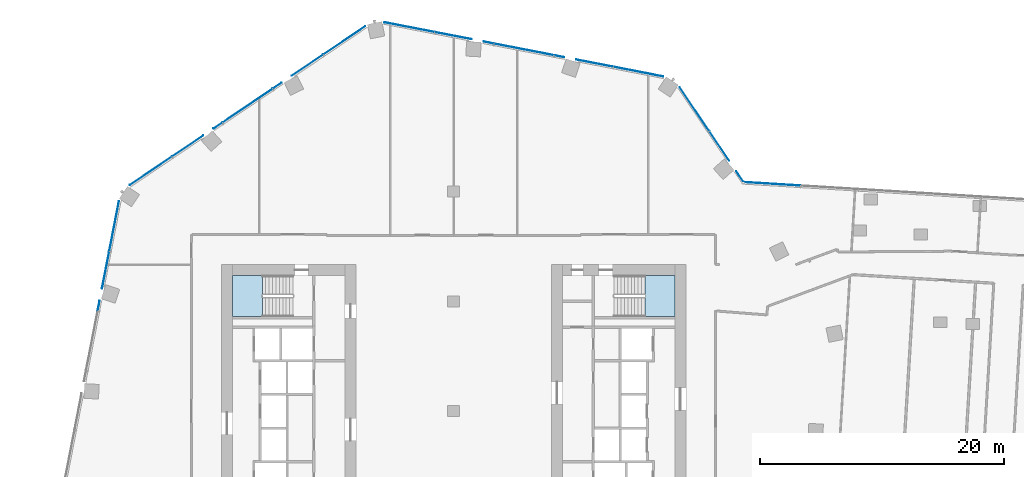
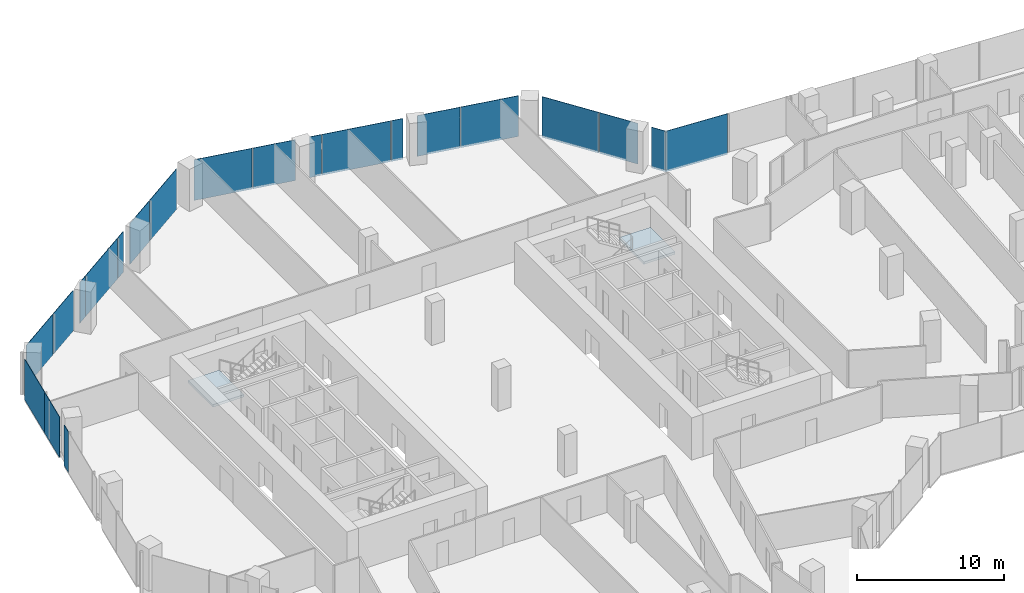
# One storey, part 20 of 32: 21 plates, 2 slabs, 7 elements without a shape of their own.
"""IFC4 building model written with IfcOpenShell, lengths in metres."""

import ifcopenshell
import ifcopenshell.guid

model = None  # the IFC model being written
_history = None  # IfcOwnerHistory: only IFC2X3 demands one
_inside = {}  # id of a spatial element -> (the spatial element, [elements in it])
_under = {}  # id of a project, library or spatial element -> (it, [spatial elements below it])
_declared = {}  # id of a project -> (the project, [libraries it declares])
_typed = {}  # id of a type object -> (the type object, [elements of that type])
_made_of = {}  # id of a material, layer set ... -> (it, [elements and type objects made of it])


def new_model(schema):
    """Start an empty IFC model of exactly this schema.

    Asked for "IFC4X3", IfcOpenShell would pick the latest addendum, in which some entities
    have other attributes; the version numbers below select the first issue.
    IFC2X3 requires an IfcOwnerHistory on every rooted entity: one is made here for all.
    """
    global model, _history
    if schema == "IFC4X3":
        model = ifcopenshell.file(schema_version=(4, 3, 0, 0))
    else:
        model = ifcopenshell.file(schema=schema)
    _inside.clear()
    _under.clear()
    _declared.clear()
    _typed.clear()
    _made_of.clear()
    _history = None
    if model.schema == "IFC2X3":
        org = make("IfcOrganization", Name="unknown")
        user = make(
            "IfcPersonAndOrganization",
            ThePerson=make("IfcPerson", FamilyName="unknown"),
            TheOrganization=org,
        )
        app = make(
            "IfcApplication",
            ApplicationDeveloper=org,
            Version="unknown",
            ApplicationFullName="unknown",
            ApplicationIdentifier="unknown",
        )
        _history = make(
            "IfcOwnerHistory",
            OwningUser=user,
            OwningApplication=app,
            ChangeAction="ADDED",
            CreationDate=0,
        )
    return model


def make(cls, **values):
    """One entity of the class cls with the attributes given. An attribute that is None is left unset."""
    return model.create_entity(
        cls, **{name: value for name, value in values.items() if value is not None}
    )


def rooted(cls, **values):
    """An entity with a GlobalId (a new one), such as an element, a storey or a relation."""
    return make(cls, GlobalId=ifcopenshell.guid.new(), OwnerHistory=_history, **values)


def si_unit(unit_type, name, prefix=None):
    """IfcSIUnit, for example si_unit("LENGTHUNIT", "METRE", prefix="MILLI")."""
    return make("IfcSIUnit", UnitType=unit_type, Prefix=prefix, Name=name)


def assignment(units):
    """IfcUnitAssignment: the units of a project."""
    return None if units is None else make("IfcUnitAssignment", Units=units)


def point(xyz):
    """IfcCartesianPoint."""
    return None if xyz is None else make("IfcCartesianPoint", Coordinates=xyz)


def direction(xyz):
    """IfcDirection."""
    return None if xyz is None else make("IfcDirection", DirectionRatios=xyz)


def frame(location, z_axis=None, x_axis=None):
    """IfcAxis2Placement3D, a coordinate frame: its origin and axes. An axis left out is left unset."""
    return make(
        "IfcAxis2Placement3D",
        Location=point(location),
        Axis=direction(z_axis),
        RefDirection=direction(x_axis),
    )


def frame_2d(location, x_axis=None):
    """IfcAxis2Placement2D, a coordinate frame in the plane: its origin and x axis."""
    return make(
        "IfcAxis2Placement2D", Location=point(location), RefDirection=direction(x_axis)
    )


def origin():
    """The frame at (0, 0, 0) with its axes left unset."""
    return frame((0.0, 0.0, 0.0))


def origin_2d():
    """The frame at (0, 0) in the plane with its x axis left unset."""
    return frame_2d((0.0, 0.0))


def place(relative_to, where):
    """IfcLocalPlacement: puts the frame where relative to a parent placement (None: the world)."""
    return make(
        "IfcLocalPlacement", PlacementRelTo=relative_to, RelativePlacement=where
    )


def context(
    kind, dimensions, precision=None, world=None, true_north=None, identifier=None
):
    """IfcGeometricRepresentationContext, for example the 3D "Model" context."""
    return make(
        "IfcGeometricRepresentationContext",
        ContextIdentifier=identifier,
        ContextType=kind,
        CoordinateSpaceDimension=dimensions,
        Precision=precision,
        WorldCoordinateSystem=world,
        TrueNorth=true_north,
    )


def subcontext(parent, identifier, kind, view, scale=None):
    """IfcGeometricRepresentationSubContext, for example "Body" below "Model"."""
    return make(
        "IfcGeometricRepresentationSubContext",
        ContextIdentifier=identifier,
        ContextType=kind,
        ParentContext=parent,
        TargetScale=scale,
        TargetView=view,
    )


def project(units=None, contexts=None):
    """IfcProject with its units and contexts."""
    return rooted(
        "IfcProject",
        Name="project",
        RepresentationContexts=contexts,
        UnitsInContext=assignment(units),
    )


def spatial(cls, under=None, at=None, **own):
    """A site, building, storey or space (cls), placed at a placement, below another one or the project."""
    s = rooted(cls, ObjectPlacement=at, **own)
    if under is not None:
        _under.setdefault(under.id(), (under, []))[1].append(s)
    return s


def polyline(points):
    """IfcPolyline through the points."""
    return make("IfcPolyline", Points=[point(p) for p in points])


def profile(cls, at=None, kind="AREA", **sizes):
    """A parametric profile (cls). Its sizes go by their IFC names, for example OverallWidth=200.0."""
    return make(cls, ProfileType=kind, Position=at, **sizes)


def rectangle(**sizes):
    """IfcRectangleProfileDef."""
    return profile("IfcRectangleProfileDef", **sizes)


def outline(outer, holes=None, kind="AREA"):
    """IfcArbitraryClosedProfileDef: a profile drawn as a closed curve; with holes, ...WithVoids."""
    if holes is None:
        return make("IfcArbitraryClosedProfileDef", ProfileType=kind, OuterCurve=outer)
    return make(
        "IfcArbitraryProfileDefWithVoids",
        ProfileType=kind,
        OuterCurve=outer,
        InnerCurves=holes,
    )


def extrude(swept, where, along, depth):
    """IfcExtrudedAreaSolid: the profile swept, set in the frame where, extruded along a direction by depth."""
    return make(
        "IfcExtrudedAreaSolid",
        SweptArea=swept,
        Position=where,
        ExtrudedDirection=direction(along),
        Depth=depth,
    )


def shape(context_of_items, identifier, shape_type, items):
    """IfcShapeRepresentation: the items that make up one representation, for example the "Body"."""
    return make(
        "IfcShapeRepresentation",
        ContextOfItems=context_of_items,
        RepresentationIdentifier=identifier,
        RepresentationType=shape_type,
        Items=items,
    )


def material(Name=None, Category=None):
    """IfcMaterial."""
    return make("IfcMaterial", Name=Name, Category=Category)


def layer(
    of_material, thickness, ventilated=None, Name=None, Category=None, Priority=None
):
    """IfcMaterialLayer: one layer of a wall or slab, of a material (None: an air gap)."""
    return make(
        "IfcMaterialLayer",
        Material=of_material,
        LayerThickness=thickness,
        IsVentilated=ventilated,
        Name=Name,
        Category=Category,
        Priority=Priority,
    )


def layer_set(layers, Name=None):
    """IfcMaterialLayerSet."""
    return make("IfcMaterialLayerSet", MaterialLayers=layers, LayerSetName=Name)


def made_of(thing, what):
    """Note that an element or type object is made of a material, layer set ...; save() writes the relation."""
    if what is not None:
        _made_of.setdefault(what.id(), (what, []))[1].append(thing)
    return thing


def type_object(cls, material=None, **own):
    """A type object (cls), such as IfcWallType, which elements share."""
    return made_of(rooted(cls, **own), material)


def element(
    cls,
    number,
    at=None,
    inside=None,
    cuts=None,
    type_object=None,
    material=None,
    context=None,
    identifier="Body",
    shape_type=None,
    held_by="IfcProductDefinitionShape",
    body=None,
    shapes=None,
    **own,
):
    """One element of the class cls, such as IfcWall. Its Tag is "e" and its number.

    at: its placement. inside: the storey or other place that contains it. cuts: it is an
    opening in that element (IfcRelVoidsElement). A single representation is given by context,
    identifier, shape_type and body (its items); several are given by shapes. held_by: the class
    of the entity that holds the representations. save() writes the other relations.
    """
    e = rooted(cls, Tag="e%d" % number, ObjectPlacement=at, **own)
    if body is not None:
        shapes = [shape(context, identifier, shape_type, body)]
    if shapes is not None:
        e.Representation = make(held_by, Representations=shapes)
    if inside is not None:
        _inside.setdefault(inside.id(), (inside, []))[1].append(e)
    if cuts is not None:
        rooted(
            "IfcRelVoidsElement", RelatingBuildingElement=cuts, RelatedOpeningElement=e
        )
    if type_object is not None:
        _typed.setdefault(type_object.id(), (type_object, []))[1].append(e)
    return made_of(e, material)


def aggregate(whole, parts):
    """IfcRelAggregates: a whole, such as a stair, and the parts it consists of."""
    return rooted("IfcRelAggregates", RelatingObject=whole, RelatedObjects=parts)


def save(model, path):
    """Write the relations noted so far, then the file.

    IfcRelAggregates (storeys below a building ...), IfcRelContainedInSpatialStructure (elements
    in a storey), IfcRelDefinesByType, IfcRelAssociatesMaterial and IfcRelDeclares: one each for
    every whole, place, type object, material and project.
    """
    for whole, parts in _under.values():
        aggregate(whole, parts)
    for where, things in _inside.values():
        rooted(
            "IfcRelContainedInSpatialStructure",
            RelatedElements=things,
            RelatingStructure=where,
        )
    for kind, things in _typed.values():
        rooted("IfcRelDefinesByType", RelatedObjects=things, RelatingType=kind)
    for what, things in _made_of.values():
        rooted("IfcRelAssociatesMaterial", RelatedObjects=things, RelatingMaterial=what)
    for by, libraries in _declared.values():
        rooted("IfcRelDeclares", RelatingContext=by, RelatedDefinitions=libraries)
    model.write(path)


model = new_model("IFC4")

# Units and contexts
model_context = context("Model", 3, precision=1e-05, world=origin(), true_north=direction((0.0, 1.0)))
body_context = subcontext(model_context, "Body", "Model", "MODEL_VIEW")
ifc_project = project(units=[si_unit("LENGTHUNIT", "METRE"), si_unit("AREAUNIT", "SQUARE_METRE"), si_unit("VOLUMEUNIT", "CUBIC_METRE"), si_unit("PLANEANGLEUNIT", "RADIAN"), si_unit("MASSUNIT", "GRAM", prefix="KILO")], contexts=[model_context])

# Site, building, storey
site_placement = place(None, origin())
site = spatial("IfcSite", under=ifc_project, at=site_placement, CompositionType="ELEMENT")
building_placement = place(site_placement, origin())
building = spatial("IfcBuilding", under=site, at=building_placement, Name="Orlundy Tower", CompositionType="ELEMENT")
storey_placement = place(building_placement, frame((0.0, 0.0, 149.10009765625)))
storey = spatial("IfcBuildingStorey", under=building, at=storey_placement, Name="L38", CompositionType="ELEMENT", Elevation=149.10009765625)

# Curtain wall, plates
ifc_material_1 = material(Name="Aluminium bronze anodised", Category="aluminium")
curtain_wall_type = type_object("IfcCurtainWallType", Name="CW1 wall", PredefinedType="NOTDEFINED", material=ifc_material_1)
curtain_wall_1_placement = place(storey_placement, origin())
curtain_wall_1 = element("IfcCurtainWall", 1, at=curtain_wall_1_placement, inside=storey, type_object=curtain_wall_type, Name="CW1 run 014", PredefinedType="NOTDEFINED")
ifc_material_2 = material(Name="Tinted glass", Category="glass")
ifc_layer_1 = layer(ifc_material_2, 0.031982421875)
ifc_layer_set_1 = layer_set([ifc_layer_1], Name="CW1 glass panel 32")
plate_type = type_object("IfcPlateType", Name="CW1 glass panel 32", PredefinedType="CURTAIN_PANEL", material=ifc_layer_set_1)
plate_1_placement = place(storey_placement, frame((-29.05029296875, 8.635009765625, -0.280029296875), z_axis=(0.0, 0.0, 1.0), x_axis=(0.19080503976, 0.981627952333, 0.0)))
plate_1 = element("IfcPlate", 2, at=plate_1_placement, type_object=plate_type, Name="CW1 panel", PredefinedType="CURTAIN_PANEL", context=body_context, shape_type="SweptSolid", body=[
    extrude(rectangle(XDim=0.846923828125, YDim=0.031982421875, at=origin_2d()), origin(), (0.0, 0.0, 1.0), 3.3798828125),
])
plate_2_placement = place(storey_placement, frame((-28.484130859375, 11.5478515625, -0.280029296875), z_axis=(0.0, 0.0, 1.0), x_axis=(0.19080503976, 0.981627952333, 0.0)))
plate_2 = element("IfcPlate", 3, at=plate_2_placement, type_object=plate_type, Name="CW1 panel", PredefinedType="CURTAIN_PANEL", context=body_context, shape_type="SweptSolid", body=[
    extrude(rectangle(XDim=3.059814453125, YDim=0.031982421875, at=origin_2d()), origin(), (0.0, 0.0, 1.0), 3.3798828125),
])
plate_3_placement = place(storey_placement, frame((-27.786865234375, 15.134521484375, -0.280029296875), z_axis=(0.0, 0.0, 1.0), x_axis=(0.19080503976, 0.981627952333, 0.0)))
plate_3 = element("IfcPlate", 4, at=plate_3_placement, type_object=plate_type, Name="CW1 panel", PredefinedType="CURTAIN_PANEL", context=body_context, shape_type="SweptSolid", body=[
    extrude(rectangle(XDim=4.148193359375, YDim=0.031982421875, at=origin_2d()), origin(), (0.0, 0.0, 1.0), 3.3798828125),
])
aggregate(curtain_wall_1, [plate_1, plate_2, plate_3])

curtain_wall_2_placement = place(storey_placement, origin())
curtain_wall_2 = element("IfcCurtainWall", 5, at=curtain_wall_2_placement, inside=storey, type_object=curtain_wall_type, Name="CW1 run 015", PredefinedType="NOTDEFINED")
plate_4_placement = place(storey_placement, frame((-24.78857421875, 19.6640625, -0.280029296875), z_axis=(0.0, 0.0, 1.0), x_axis=(0.829029616512, 0.559204698608, 0.0)))
plate_4 = element("IfcPlate", 6, at=plate_4_placement, type_object=plate_type, Name="CW1 panel", PredefinedType="CURTAIN_PANEL", context=body_context, shape_type="SweptSolid", body=[
    extrude(rectangle(XDim=4.14697265625, YDim=0.031982421875, at=origin_2d()), origin(), (0.0, 0.0, 1.0), 3.3798828125),
])
plate_5_placement = place(storey_placement, frame((-21.762939453125, 21.705078125, -0.280029296875), z_axis=(0.0, 0.0, 1.0), x_axis=(0.829029616512, 0.559204698608, 0.0)))
plate_5 = element("IfcPlate", 7, at=plate_5_placement, type_object=plate_type, Name="CW1 panel", PredefinedType="CURTAIN_PANEL", context=body_context, shape_type="SweptSolid", body=[
    extrude(rectangle(XDim=3.052490234375, YDim=0.031982421875, at=origin_2d()), origin(), (0.0, 0.0, 1.0), 3.3798828125),
])
plate_6_placement = place(storey_placement, frame((-19.2998046875, 23.366455078125, -0.280029296875), z_axis=(0.0, 0.0, 1.0), x_axis=(0.829029616512, 0.559204698608, 0.0)))
plate_6 = element("IfcPlate", 8, at=plate_6_placement, type_object=plate_type, Name="CW1 panel", PredefinedType="CURTAIN_PANEL", context=body_context, shape_type="SweptSolid", body=[
    extrude(rectangle(XDim=0.8466796875, YDim=0.031982421875, at=origin_2d()), origin(), (0.0, 0.0, 1.0), 3.3798828125),
])
plate_7_placement = place(storey_placement, frame((-16.86767578125, 25.007080078125, -0.280029296875), z_axis=(0.0, 0.0, 1.0), x_axis=(0.829029616512, 0.559204698608, 0.0)))
plate_7 = element("IfcPlate", 9, at=plate_7_placement, type_object=plate_type, Name="CW1 panel", PredefinedType="CURTAIN_PANEL", context=body_context, shape_type="SweptSolid", body=[
    extrude(rectangle(XDim=4.920654296875, YDim=0.031982421875, at=origin_2d()), origin(), (0.0, 0.0, 1.0), 3.3798828125),
])
plate_8_placement = place(storey_placement, frame((-14.435302734375, 26.647705078125, -0.280029296875), z_axis=(0.0, 0.0, 1.0), x_axis=(0.829029616512, 0.559204698608, 0.0)))
plate_8 = element("IfcPlate", 10, at=plate_8_placement, type_object=plate_type, Name="CW1 panel", PredefinedType="CURTAIN_PANEL", context=body_context, shape_type="SweptSolid", body=[
    extrude(rectangle(XDim=0.84716796875, YDim=0.031982421875, at=origin_2d()), origin(), (0.0, 0.0, 1.0), 3.3798828125),
])
plate_9_placement = place(storey_placement, frame((-11.97314453125, 28.30859375, -0.280029296875), z_axis=(0.0, 0.0, 1.0), x_axis=(0.829029616512, 0.559204698608, 0.0)))
plate_9 = element("IfcPlate", 11, at=plate_9_placement, type_object=plate_type, Name="CW1 panel", PredefinedType="CURTAIN_PANEL", context=body_context, shape_type="SweptSolid", body=[
    extrude(rectangle(XDim=3.0537109375, YDim=0.031982421875, at=origin_2d()), origin(), (0.0, 0.0, 1.0), 3.3798828125),
])
plate_10_placement = place(storey_placement, frame((-8.9462890625, 30.35009765625, -0.280029296875), z_axis=(0.0, 0.0, 1.0), x_axis=(0.829029616512, 0.559204698608, 0.0)))
plate_10 = element("IfcPlate", 12, at=plate_10_placement, type_object=plate_type, Name="CW1 panel", PredefinedType="CURTAIN_PANEL", context=body_context, shape_type="SweptSolid", body=[
    extrude(rectangle(XDim=4.14794921875, YDim=0.031982421875, at=origin_2d()), origin(), (0.0, 0.0, 1.0), 3.3798828125),
])
aggregate(curtain_wall_2, [plate_4, plate_5, plate_6, plate_7, plate_8, plate_9, plate_10])

curtain_wall_3_placement = place(storey_placement, origin())
curtain_wall_3 = element("IfcCurtainWall", 13, at=curtain_wall_3_placement, inside=storey, type_object=curtain_wall_type, Name="CW1 run 016", PredefinedType="NOTDEFINED")
plate_11_placement = place(storey_placement, frame((-3.62353515625, 31.43310546875, -0.280029296875), z_axis=(0.0, 0.0, 1.0), x_axis=(0.981627952333, -0.19080503976, 0.0)))
plate_11 = element("IfcPlate", 14, at=plate_11_placement, type_object=plate_type, Name="CW1 panel", PredefinedType="CURTAIN_PANEL", context=body_context, shape_type="SweptSolid", body=[
    extrude(rectangle(XDim=4.147216796875, YDim=0.031982421875, at=origin_2d()), origin(), (0.0, 0.0, 1.0), 3.3798828125),
])
plate_12_placement = place(storey_placement, frame((-0.037109375, 30.73583984375, -0.280029296875), z_axis=(0.0, 0.0, 1.0), x_axis=(0.981627952333, -0.19080503976, 0.0)))
plate_12 = element("IfcPlate", 15, at=plate_12_placement, type_object=plate_type, Name="CW1 panel", PredefinedType="CURTAIN_PANEL", context=body_context, shape_type="SweptSolid", body=[
    extrude(rectangle(XDim=3.059814453125, YDim=0.031982421875, at=origin_2d()), origin(), (0.0, 0.0, 1.0), 3.3798828125),
])
plate_13_placement = place(storey_placement, frame((2.87548828125, 30.169677734375, -0.280029296875), z_axis=(0.0, 0.0, 1.0), x_axis=(0.981627952333, -0.19080503976, 0.0)))
plate_13 = element("IfcPlate", 16, at=plate_13_placement, type_object=plate_type, Name="CW1 panel", PredefinedType="CURTAIN_PANEL", context=body_context, shape_type="SweptSolid", body=[
    extrude(rectangle(XDim=0.8466796875, YDim=0.031982421875, at=origin_2d()), origin(), (0.0, 0.0, 1.0), 3.3798828125),
])
plate_14_placement = place(storey_placement, frame((5.75537109375, 29.610107421875, -0.280029296875), z_axis=(0.0, 0.0, 1.0), x_axis=(0.981627952333, -0.19080503976, 0.0)))
plate_14 = element("IfcPlate", 17, at=plate_14_placement, type_object=plate_type, Name="CW1 panel", PredefinedType="CURTAIN_PANEL", context=body_context, shape_type="SweptSolid", body=[
    extrude(rectangle(XDim=4.92041015625, YDim=0.031982421875, at=origin_2d()), origin(), (0.0, 0.0, 1.0), 3.3798828125),
])
plate_15_placement = place(storey_placement, frame((8.635009765625, 29.05029296875, -0.280029296875), z_axis=(0.0, 0.0, 1.0), x_axis=(0.981627952333, -0.19080503976, 0.0)))
plate_15 = element("IfcPlate", 18, at=plate_15_placement, type_object=plate_type, Name="CW1 panel", PredefinedType="CURTAIN_PANEL", context=body_context, shape_type="SweptSolid", body=[
    extrude(rectangle(XDim=0.846923828125, YDim=0.031982421875, at=origin_2d()), origin(), (0.0, 0.0, 1.0), 3.3798828125),
])
plate_16_placement = place(storey_placement, frame((11.5478515625, 28.484130859375, -0.280029296875), z_axis=(0.0, 0.0, 1.0), x_axis=(0.981627952333, -0.19080503976, 0.0)))
plate_16 = element("IfcPlate", 19, at=plate_16_placement, type_object=plate_type, Name="CW1 panel", PredefinedType="CURTAIN_PANEL", context=body_context, shape_type="SweptSolid", body=[
    extrude(rectangle(XDim=3.059814453125, YDim=0.031982421875, at=origin_2d()), origin(), (0.0, 0.0, 1.0), 3.3798828125),
])
plate_17_placement = place(storey_placement, frame((15.134521484375, 27.786865234375, -0.280029296875), z_axis=(0.0, 0.0, 1.0), x_axis=(0.981627952333, -0.19080503976, 0.0)))
plate_17 = element("IfcPlate", 20, at=plate_17_placement, type_object=plate_type, Name="CW1 panel", PredefinedType="CURTAIN_PANEL", context=body_context, shape_type="SweptSolid", body=[
    extrude(rectangle(XDim=4.148193359375, YDim=0.031982421875, at=origin_2d()), origin(), (0.0, 0.0, 1.0), 3.3798828125),
])
aggregate(curtain_wall_3, [plate_11, plate_12, plate_13, plate_14, plate_15, plate_16, plate_17])

curtain_wall_4_placement = place(storey_placement, origin())
curtain_wall_4 = element("IfcCurtainWall", 21, at=curtain_wall_4_placement, inside=storey, type_object=curtain_wall_type, Name="CW1 run 017", PredefinedType="NOTDEFINED")
plate_18_placement = place(storey_placement, frame((19.70556640625, 24.727294921875, -0.280029296875), z_axis=(0.0, 0.0, 1.0), x_axis=(0.559222860538, -0.829017365471, 0.0)))
plate_18 = element("IfcPlate", 22, at=plate_18_placement, type_object=plate_type, Name="CW1 panel", PredefinedType="CURTAIN_PANEL", context=body_context, shape_type="SweptSolid", body=[
    extrude(rectangle(XDim=4.295166015625, YDim=0.031982421875, at=origin_2d()), origin(), (0.0, 0.0, 1.0), 3.3798828125),
])
plate_19_placement = place(storey_placement, frame((21.746826171875, 21.700927734375, -0.280029296875), z_axis=(0.0, 0.0, 1.0), x_axis=(0.559222860538, -0.829017365471, 0.0)))
plate_19 = element("IfcPlate", 23, at=plate_19_placement, type_object=plate_type, Name="CW1 panel", PredefinedType="CURTAIN_PANEL", context=body_context, shape_type="SweptSolid", body=[
    extrude(rectangle(XDim=2.90576171875, YDim=0.031982421875, at=origin_2d()), origin(), (0.0, 0.0, 1.0), 3.3798828125),
])
plate_20_placement = place(storey_placement, frame((23.433837890625, 19.200439453125, -0.280029296875), z_axis=(0.0, 0.0, 1.0), x_axis=(0.559222860538, -0.829017365471, 0.0)))
plate_20 = element("IfcPlate", 24, at=plate_20_placement, type_object=plate_type, Name="CW1 panel", PredefinedType="CURTAIN_PANEL", context=body_context, shape_type="SweptSolid", body=[
    extrude(rectangle(XDim=1.087158203125, YDim=0.031982421875, at=origin_2d()), origin(), (0.0, 0.0, 1.0), 3.3798828125),
])
aggregate(curtain_wall_4, [plate_18, plate_19, plate_20])

# Curtain wall, plate
curtain_wall_5_placement = place(storey_placement, origin())
curtain_wall_5 = element("IfcCurtainWall", 25, at=curtain_wall_5_placement, inside=storey, type_object=curtain_wall_type, Name="CW1 run 018", PredefinedType="NOTDEFINED")
plate_21_placement = place(storey_placement, frame((26.05810546875, 18.60791015625, -0.280029296875), z_axis=(0.0, 0.0, 1.0), x_axis=(0.998134478615, -0.061053768107, 0.0)))
plate_21 = element("IfcPlate", 26, at=plate_21_placement, type_object=plate_type, Name="CW1 panel", PredefinedType="CURTAIN_PANEL", context=body_context, shape_type="SweptSolid", body=[
    extrude(rectangle(XDim=4.6494140625, YDim=0.031982421875, at=origin_2d()), origin(), (0.0, 0.0, 1.0), 3.3798828125),
])
aggregate(curtain_wall_5, [plate_21])

# Stair, slab
ifc_material_3 = material(Name="Concrete C50/60", Category="concrete")
stair_type = type_object("IfcStairType", Name="Exit Stair 20 risers", PredefinedType="HALF_TURN_STAIR", material=ifc_material_3)
stair_1_placement = place(storey_placement, origin())
stair_1 = element("IfcStair", 27, at=stair_1_placement, inside=storey, type_object=stair_type, Name="L38 Exit Stair ST-W1", PredefinedType="HALF_TURN_STAIR")
ifc_material_4 = material(Name="Concrete C50/60", Category="concrete")
ifc_layer_2 = layer(ifc_material_4, 0.199951171875)
ifc_layer_set_2 = layer_set([ifc_layer_2], Name="Exit Stair Landing")
slab_type = type_object("IfcSlabType", Name="Exit Stair Landing", PredefinedType="LANDING", material=ifc_layer_set_2)
slab_1_placement = place(storey_placement, frame((0.0, 0.0, 1.5498046875)))
slab_1 = element("IfcSlab", 28, at=slab_1_placement, type_object=slab_type, Name="ST-W1 landing 1", PredefinedType="LANDING", context=body_context, shape_type="SweptSolid", body=[
    extrude(outline(polyline([(-15.659912109375, 11.10009765625), (-18.10009765625, 11.10009765625), (-18.10009765625, 7.75), (-15.659912109375, 7.75), (-15.659912109375, 11.10009765625)])), origin(), (0.0, 0.0, 1.0), 0.2001953125),
])
aggregate(stair_1, [slab_1])

stair_2_placement = place(storey_placement, origin())
stair_2 = element("IfcStair", 29, at=stair_2_placement, inside=storey, type_object=stair_type, Name="L38 Exit Stair ST-E2", PredefinedType="HALF_TURN_STAIR")
slab_2_placement = place(storey_placement, frame((0.0, 0.0, 1.5498046875)))
slab_2 = element("IfcSlab", 30, at=slab_2_placement, type_object=slab_type, Name="ST-E2 landing 1", PredefinedType="LANDING", context=body_context, shape_type="SweptSolid", body=[
    extrude(outline(polyline([(15.659912109375, 7.75), (18.10009765625, 7.75), (18.10009765625, 11.10009765625), (15.659912109375, 11.10009765625), (15.659912109375, 7.75)])), origin(), (0.0, 0.0, 1.0), 0.2001953125),
])
aggregate(stair_2, [slab_2])

save(model, "model.ifc")
